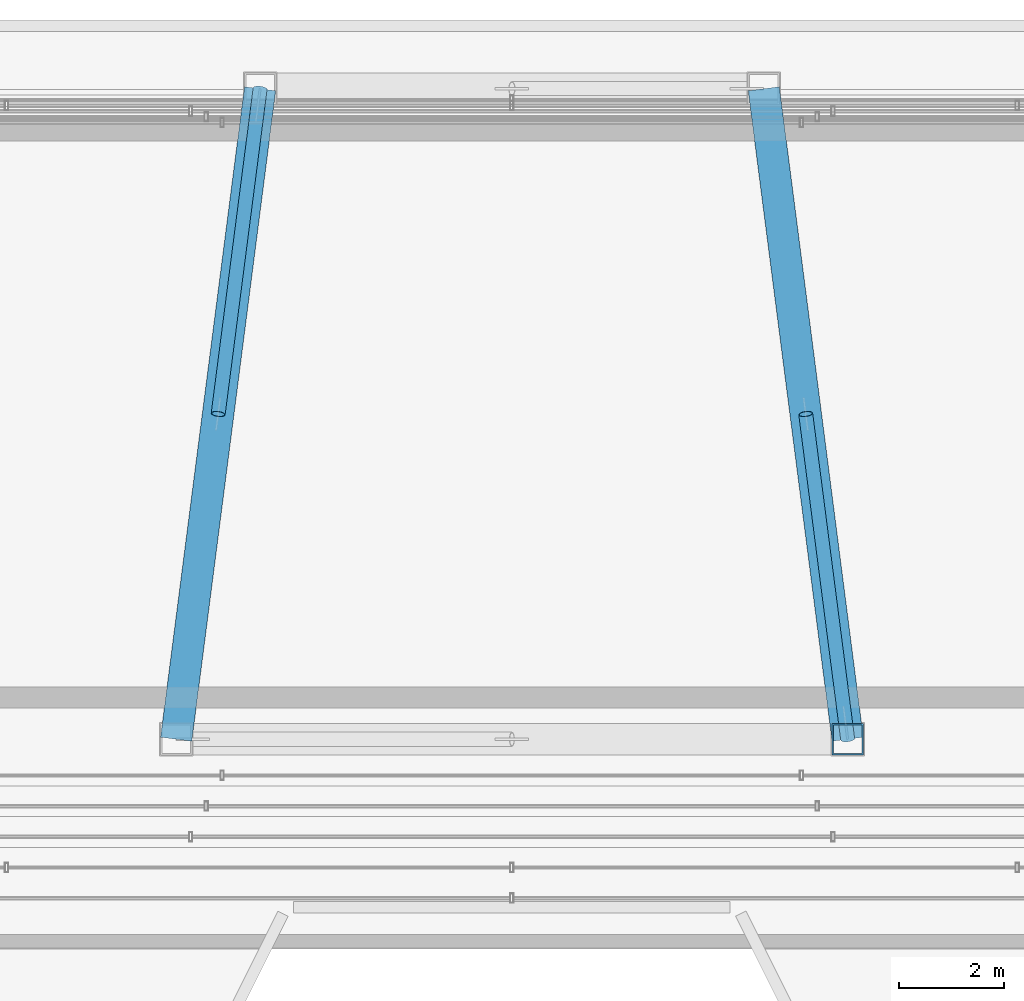
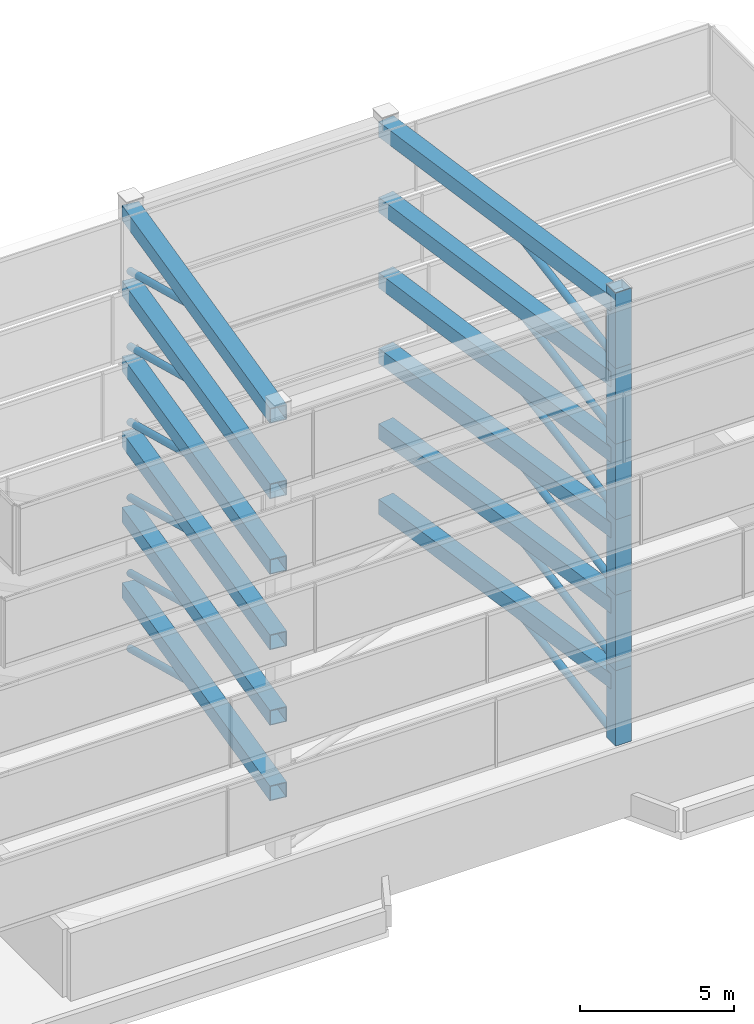
# One storey, part 11 of 29: 30 members.
"""IFC4 building model written with IfcOpenShell, lengths in metres."""

from ifc_helpers import new_model, si_unit, direction, frame, origin, origin_2d, place, context, subcontext, project, spatial, hollow_rectangle, hollow_circle, extrude, material, material_profile, profile_set, type_object, element, save


model = new_model("IFC4")

# Units and contexts
model_context = context("Model", 3, precision=1e-05, world=origin(), true_north=direction((0.0, 1.0)))
body_context = subcontext(model_context, "Body", "Model", "MODEL_VIEW")
ifc_project = project(units=[si_unit("LENGTHUNIT", "METRE"), si_unit("AREAUNIT", "SQUARE_METRE"), si_unit("VOLUMEUNIT", "CUBIC_METRE"), si_unit("PLANEANGLEUNIT", "RADIAN"), si_unit("MASSUNIT", "GRAM", prefix="KILO")], contexts=[model_context])

# Site, building, storey
site_placement = place(None, origin())
site = spatial("IfcSite", under=ifc_project, at=site_placement, CompositionType="ELEMENT")
building_placement = place(site_placement, origin())
building = spatial("IfcBuilding", under=site, at=building_placement, Name="Saevonmaru Cultural Tower", CompositionType="ELEMENT")
storey_placement = place(building_placement, frame((0.0, 0.0, 327.60009765625)))
storey = spatial("IfcBuildingStorey", under=building, at=storey_placement, Name="RF", CompositionType="ELEMENT", Elevation=327.60009765625)

# Members
ifc_material_1 = material(Name="Steel SM355", Category="steel")
ifc_material_profile_1 = material_profile(ifc_material_1, hollow_circle(Radius=0.1337890625, WallThickness=0.011962890625, at=origin_2d()), Name="CHS-267.4x12")
ifc_profile_set_1 = profile_set([ifc_material_profile_1], Name="Steel SM355")
member_type_1 = type_object("IfcMemberType", Name="CROWN-FRAME-BRACE", PredefinedType="BRACE", material=ifc_profile_set_1)
for number, where, z_axis, x_axis, name in (
    (1, (36.39990234375, 42.39990234375, 0.0), (-0.119438185728, 0.925901149193, 0.35838747427), (-0.991782342897, -0.127936641807, 0.0), "RF Stepped Ziggurat CROWN FRAME Brace T1-2"),
    (2, (25.199951171875, 54.800048828125, 0.0), (-0.119478157116, -0.925891913323, 0.358398011733), (0.991776747341, -0.127980011854, 0.0), "RF Stepped Ziggurat CROWN FRAME Brace T1-4"),
    (3, (36.39990234375, 42.39990234375, 3.0), (-0.119438185728, 0.925901149193, 0.35838747427), (-0.991782342897, -0.127936641807, 0.0), "RF Stepped Ziggurat CROWN FRAME Brace T2-2"),
    (4, (25.199951171875, 54.800048828125, 3.0), (-0.119478157116, -0.925891913323, 0.358398011733), (0.991776747341, -0.127980011854, 0.0), "RF Stepped Ziggurat CROWN FRAME Brace T2-4"),
    (5, (36.39990234375, 42.39990234375, 6.0), (-0.119438185728, 0.925901149193, 0.35838747427), (-0.991782342897, -0.127936641807, 0.0), "RF Stepped Ziggurat CROWN FRAME Brace T3-2"),
    (6, (25.199951171875, 54.800048828125, 6.0), (-0.119478157116, -0.925891913323, 0.358398011733), (0.991776747341, -0.127980011854, 0.0), "RF Stepped Ziggurat CROWN FRAME Brace T3-4"),
    (7, (36.39990234375, 42.39990234375, 9.0), (-0.119438185728, 0.925901149193, 0.35838747427), (-0.991782342897, -0.127936641807, 0.0), "RF Stepped Ziggurat CROWN FRAME Brace T4-2"),
    (8, (25.199951171875, 54.800048828125, 9.0), (-0.119478157116, -0.925891913323, 0.358398011733), (0.991776747341, -0.127980011854, 0.0), "RF Stepped Ziggurat CROWN FRAME Brace T4-4"),
    (9, (36.39990234375, 42.39990234375, 12.0), (-0.119438185728, 0.925901149193, 0.35838747427), (-0.991782342897, -0.127936641807, 0.0), "RF Stepped Ziggurat CROWN FRAME Brace T5-2"),
    (10, (25.199951171875, 54.800048828125, 12.0), (-0.119478157116, -0.925891913323, 0.358398011733), (0.991776747341, -0.127980011854, 0.0), "RF Stepped Ziggurat CROWN FRAME Brace T5-4"),
    (11, (36.39990234375, 42.39990234375, 15.0), (-0.119438185728, 0.925901149193, 0.35838747427), (-0.991782342897, -0.127936641807, 0.0), "RF Stepped Ziggurat CROWN FRAME Brace T6-2"),
    (12, (25.199951171875, 54.800048828125, 15.0), (-0.119478157116, -0.925891913323, 0.358398011733), (0.991776747341, -0.127980011854, 0.0), "RF Stepped Ziggurat CROWN FRAME Brace T6-4"),
):
    element("IfcMember", number, at=place(storey_placement, frame(where, z_axis=z_axis, x_axis=x_axis)), inside=storey, type_object=member_type_1, Name=name, PredefinedType="BRACE", context=body_context, shape_type="SweptSolid", body=[
        extrude(hollow_circle(Radius=0.1337890625, WallThickness=0.011962890625, at=origin_2d()), origin(), (0.0, 0.0, 1.0), 6.6962890625),
    ])
ifc_material_2 = material(Name="Steel SM420", Category="steel")
ifc_material_profile_2 = material_profile(ifc_material_2, hollow_rectangle(XDim=0.60009765625, YDim=0.60009765625, WallThickness=0.028076171875, at=origin_2d()), Name="BOX-600x600x28")
ifc_profile_set_2 = profile_set([ifc_material_profile_2], Name="Steel SM420")
member_type_2 = type_object("IfcMemberType", Name="CROWN-FRAME-CHORD", PredefinedType="CHORD", material=ifc_profile_set_2)
for number, where, z_axis, x_axis, name in (
    (13, (36.39990234375, 42.39990234375, 2.39990234375), (-0.127958326495, 0.991779545403, 0.0), (-0.991779545403, -0.127958326495, 0.0), "RF Stepped Ziggurat CROWN FRAME Ring Beam T1-2"),
    (14, (25.199951171875, 54.800048828125, 2.39990234375), (-0.127958326495, -0.991779545403, 0.0), (0.991779545403, -0.127958326495, 0.0), "RF Stepped Ziggurat CROWN FRAME Ring Beam T1-4"),
    (15, (36.39990234375, 42.39990234375, 5.39990234375), (-0.127958326495, 0.991779545403, 0.0), (-0.991779545403, -0.127958326495, 0.0), "RF Stepped Ziggurat CROWN FRAME Ring Beam T2-2"),
    (16, (25.199951171875, 54.800048828125, 5.39990234375), (-0.127958326495, -0.991779545403, 0.0), (0.991779545403, -0.127958326495, 0.0), "RF Stepped Ziggurat CROWN FRAME Ring Beam T2-4"),
    (17, (36.39990234375, 42.39990234375, 8.39990234375), (-0.127958326495, 0.991779545403, 0.0), (-0.991779545403, -0.127958326495, 0.0), "RF Stepped Ziggurat CROWN FRAME Ring Beam T3-2"),
    (18, (25.199951171875, 54.800048828125, 8.39990234375), (-0.127958326495, -0.991779545403, 0.0), (0.991779545403, -0.127958326495, 0.0), "RF Stepped Ziggurat CROWN FRAME Ring Beam T3-4"),
    (19, (36.39990234375, 42.39990234375, 11.39990234375), (-0.127958326495, 0.991779545403, 0.0), (-0.991779545403, -0.127958326495, 0.0), "RF Stepped Ziggurat CROWN FRAME Ring Beam T4-2"),
    (20, (25.199951171875, 54.800048828125, 11.39990234375), (-0.127958326495, -0.991779545403, 0.0), (0.991779545403, -0.127958326495, 0.0), "RF Stepped Ziggurat CROWN FRAME Ring Beam T4-4"),
    (21, (36.39990234375, 42.39990234375, 14.39990234375), (-0.127958326495, 0.991779545403, 0.0), (-0.991779545403, -0.127958326495, 0.0), "RF Stepped Ziggurat CROWN FRAME Ring Beam T5-2"),
    (22, (25.199951171875, 54.800048828125, 14.39990234375), (-0.127958326495, -0.991779545403, 0.0), (0.991779545403, -0.127958326495, 0.0), "RF Stepped Ziggurat CROWN FRAME Ring Beam T5-4"),
    (23, (36.39990234375, 42.39990234375, 17.39990234375), (-0.127958326495, 0.991779545403, 0.0), (-0.991779545403, -0.127958326495, 0.0), "RF Stepped Ziggurat CROWN FRAME Ring Beam T6-2"),
    (24, (25.199951171875, 54.800048828125, 17.39990234375), (-0.127958326495, -0.991779545403, 0.0), (0.991779545403, -0.127958326495, 0.0), "RF Stepped Ziggurat CROWN FRAME Ring Beam T6-4"),
):
    element("IfcMember", number, at=place(storey_placement, frame(where, z_axis=z_axis, x_axis=x_axis)), inside=storey, type_object=member_type_2, Name=name, PredefinedType="CHORD", context=body_context, shape_type="SweptSolid", body=[
        extrude(hollow_rectangle(XDim=0.60009765625, YDim=0.60009765625, WallThickness=0.028076171875, at=origin_2d()), origin(), (0.0, 0.0, 1.0), 12.5029296875),
    ])
ifc_material_profile_3 = material_profile(ifc_material_2, hollow_rectangle(XDim=0.60009765625, YDim=0.60009765625, WallThickness=0.028076171875, at=origin_2d()), Name="BOX-600x600x28")
ifc_profile_set_3 = profile_set([ifc_material_profile_3], Name="Steel SM420")
member_type_3 = type_object("IfcMemberType", Name="CROWN-FRAME-POST", PredefinedType="POST", material=ifc_profile_set_3)
for number, where, z_axis, x_axis, name in (
    (25, (36.39990234375, 42.39990234375, 0.0), (0.0, 0.0, 1.0), (1.0, 0.0, 0.0), "RF Stepped Ziggurat CROWN FRAME Post T1-2"),
    (26, (36.39990234375, 42.39990234375, 3.0), (0.0, 0.0, 1.0), (1.0, 0.0, 0.0), "RF Stepped Ziggurat CROWN FRAME Post T2-2"),
    (27, (36.39990234375, 42.39990234375, 6.0), (0.0, 0.0, 1.0), (1.0, 0.0, 0.0), "RF Stepped Ziggurat CROWN FRAME Post T3-2"),
    (28, (36.39990234375, 42.39990234375, 9.0), (0.0, 0.0, 1.0), (1.0, 0.0, 0.0), "RF Stepped Ziggurat CROWN FRAME Post T4-2"),
    (29, (36.39990234375, 42.39990234375, 12.0), (0.0, 0.0, 1.0), (1.0, 0.0, 0.0), "RF Stepped Ziggurat CROWN FRAME Post T5-2"),
    (30, (36.39990234375, 42.39990234375, 15.0), (0.0, 0.0, 1.0), (1.0, 0.0, 0.0), "RF Stepped Ziggurat CROWN FRAME Post T6-2"),
):
    element("IfcMember", number, at=place(storey_placement, frame(where, z_axis=z_axis, x_axis=x_axis)), inside=storey, type_object=member_type_3, Name=name, PredefinedType="POST", context=body_context, shape_type="SweptSolid", body=[
        extrude(hollow_rectangle(XDim=0.60009765625, YDim=0.60009765625, WallThickness=0.028076171875, at=origin_2d()), origin(), (0.0, 0.0, 1.0), 3.0),
    ])

save(model, "model.ifc")
